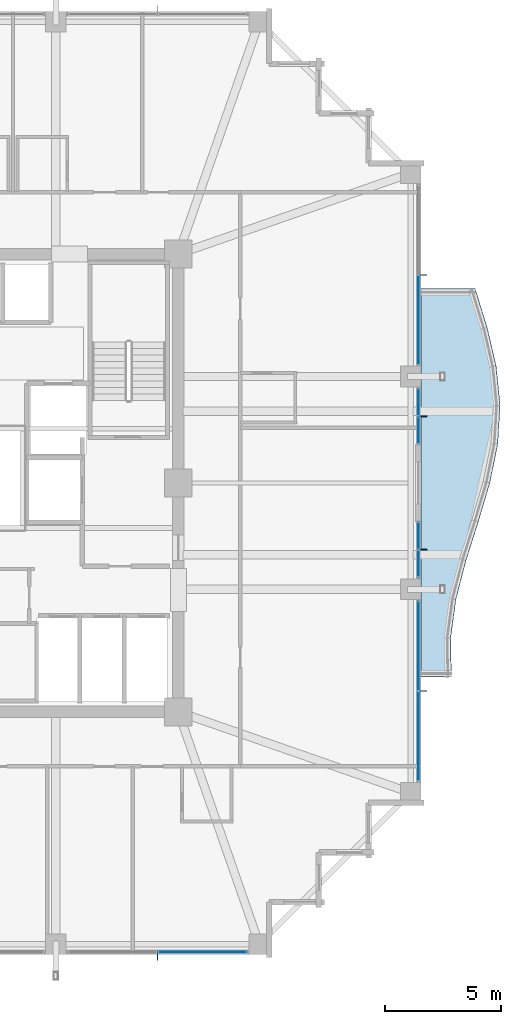
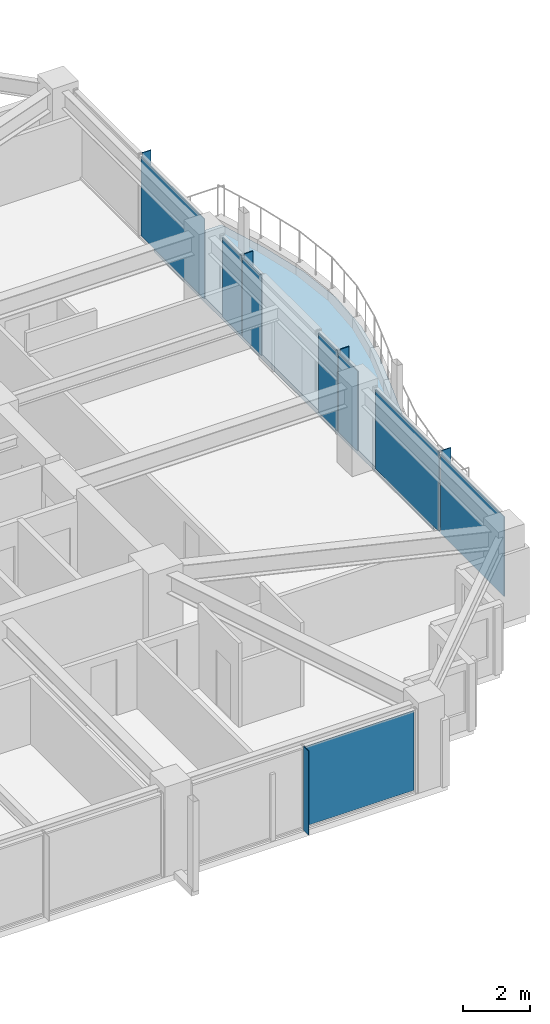
# One storey, part 26 of 35: 13 plates, 1 slab, 5 elements without a shape of their own.
"""IFC4 building model written with IfcOpenShell, lengths in metres."""

from ifc_helpers import new_model, si_unit, direction, frame, origin, origin_2d, place, context, subcontext, project, spatial, polyline, rectangle, outline, extrude, material, layer, layer_set, type_object, element, aggregate, save


model = new_model("IFC4")

# Units and contexts
model_context = context("Model", 3, precision=1e-05, world=origin(), true_north=direction((0.0, 1.0)))
body_context = subcontext(model_context, "Body", "Model", "MODEL_VIEW")
ifc_project = project(units=[si_unit("LENGTHUNIT", "METRE"), si_unit("AREAUNIT", "SQUARE_METRE"), si_unit("VOLUMEUNIT", "CUBIC_METRE"), si_unit("PLANEANGLEUNIT", "RADIAN"), si_unit("MASSUNIT", "GRAM", prefix="KILO")], contexts=[model_context])

# Site, building, storey
site_placement = place(None, origin())
site = spatial("IfcSite", under=ifc_project, at=site_placement, CompositionType="ELEMENT")
building_placement = place(site_placement, origin())
building = spatial("IfcBuilding", under=site, at=building_placement, Name="Kolvaren Belvedere", CompositionType="ELEMENT")
storey_placement = place(building_placement, frame((0.0, 0.0, 176.699951171875)))
storey = spatial("IfcBuildingStorey", under=building, at=storey_placement, Name="L51", CompositionType="ELEMENT", Elevation=176.699951171875)

# Curtain wall, plate
ifc_material_1 = material(Name="Anodised pale-metal aluminium AA 6063-T6", Category="aluminium")
curtain_wall_type = type_object("IfcCurtainWallType", Name="CW-Z5-HIGH", PredefinedType="NOTDEFINED", material=ifc_material_1)
curtain_wall_1_placement = place(storey_placement, origin())
curtain_wall_1 = element("IfcCurtainWall", 1, at=curtain_wall_1_placement, inside=storey, type_object=curtain_wall_type, Name="L51 Unitised Curtain Wall FCW-L51-S-B1", PredefinedType="NOTDEFINED")
ifc_material_2 = material(Name="Low-iron triple insulated glass", Category="glass")
ifc_layer_1 = layer(ifc_material_2, 0.028076171875)
ifc_layer_set_1 = layer_set([ifc_layer_1], Name="Low-iron triple insulated glass")
plate_type_1 = type_object("IfcPlateType", Name="CW-PNL-VIS28", PredefinedType="CURTAIN_PANEL", material=ifc_layer_set_1)
plate_1_placement = place(storey_placement, frame((10.947509765625, -20.280029296875, 0.080078125), z_axis=(0.0, 0.0, 1.0), x_axis=(-1.0, 0.0, 0.0)))
plate_1 = element("IfcPlate", 2, at=plate_1_placement, type_object=plate_type_1, Name="FCW-L51-S-B1 Vision Glazing Panel 1", PredefinedType="CURTAIN_PANEL", context=body_context, shape_type="SweptSolid", body=[
    extrude(rectangle(XDim=3.81494140625, YDim=0.028076171875, at=origin_2d()), origin(), (0.0, 0.0, 1.0), 2.919921875),
])
aggregate(curtain_wall_1, [plate_1])

curtain_wall_2_placement = place(storey_placement, origin())
curtain_wall_2 = element("IfcCurtainWall", 3, at=curtain_wall_2_placement, inside=storey, type_object=curtain_wall_type, Name="L51 Unitised Curtain Wall FCW-L51-E1-B1", PredefinedType="NOTDEFINED")
plate_2_placement = place(storey_placement, frame((20.280029296875, 7.052490234375, 0.080078125), z_axis=(0.0, 0.0, 1.0), x_axis=(0.0, -1.0, 0.0)))
plate_2 = element("IfcPlate", 4, at=plate_2_placement, type_object=plate_type_1, Name="FCW-L51-E1-B1 Vision Glazing Panel 2", PredefinedType="CURTAIN_PANEL", context=body_context, shape_type="SweptSolid", body=[
    extrude(rectangle(XDim=3.81494140625, YDim=0.028076171875, at=origin_2d()), origin(), (0.0, 0.0, 1.0), 2.919921875),
])
aggregate(curtain_wall_2, [plate_2])

# Curtain wall, plates
curtain_wall_3_placement = place(storey_placement, origin())
curtain_wall_3 = element("IfcCurtainWall", 5, at=curtain_wall_3_placement, inside=storey, type_object=curtain_wall_type, Name="L51 Unitised Curtain Wall FCW-L51-E1-B2", PredefinedType="NOTDEFINED")
plate_3_placement = place(storey_placement, frame((20.280029296875, 3.4912109375, 0.080078125), z_axis=(0.0, 0.0, 1.0), x_axis=(0.0, -1.0, 0.0)))
plate_3 = element("IfcPlate", 6, at=plate_3_placement, type_object=plate_type_1, Name="FCW-L51-E1-B2 Vision Glazing Panel 1", PredefinedType="CURTAIN_PANEL", context=body_context, shape_type="SweptSolid", body=[
    extrude(rectangle(XDim=1.12744140625, YDim=0.028076171875, at=origin_2d()), origin(), (0.0, 0.0, 1.0), 2.919921875),
])
plate_4_placement = place(storey_placement, frame((20.280029296875, 2.28369140625, 0.080078125), z_axis=(0.0, 0.0, 1.0), x_axis=(0.0, -1.0, 0.0)))
plate_4 = element("IfcPlate", 7, at=plate_4_placement, type_object=plate_type_1, Name="FCW-L51-E1-B2 Vision Glazing Panel 2", PredefinedType="CURTAIN_PANEL", context=body_context, shape_type="SweptSolid", body=[
    extrude(rectangle(XDim=1.12744140625, YDim=0.028076171875, at=origin_2d()), origin(), (0.0, 0.0, 1.0), 2.919921875),
])
aggregate(curtain_wall_3, [plate_3, plate_4])

curtain_wall_4_placement = place(storey_placement, origin())
curtain_wall_4 = element("IfcCurtainWall", 8, at=curtain_wall_4_placement, inside=storey, type_object=curtain_wall_type, Name="L51 Unitised Curtain Wall FCW-L51-E2-B1", PredefinedType="NOTDEFINED")
plate_5_placement = place(storey_placement, frame((20.280029296875, -2.28369140625, 0.080078125), z_axis=(0.0, 0.0, 1.0), x_axis=(0.0, -1.0, 0.0)))
plate_5 = element("IfcPlate", 9, at=plate_5_placement, type_object=plate_type_1, Name="FCW-L51-E2-B1 Vision Glazing Panel 1", PredefinedType="CURTAIN_PANEL", context=body_context, shape_type="SweptSolid", body=[
    extrude(rectangle(XDim=1.12744140625, YDim=0.028076171875, at=origin_2d()), origin(), (0.0, 0.0, 1.0), 2.919921875),
])
plate_6_placement = place(storey_placement, frame((20.280029296875, -3.4912109375, 0.080078125), z_axis=(0.0, 0.0, 1.0), x_axis=(0.0, -1.0, 0.0)))
plate_6 = element("IfcPlate", 10, at=plate_6_placement, type_object=plate_type_1, Name="FCW-L51-E2-B1 Vision Glazing Panel 2", PredefinedType="CURTAIN_PANEL", context=body_context, shape_type="SweptSolid", body=[
    extrude(rectangle(XDim=1.12744140625, YDim=0.028076171875, at=origin_2d()), origin(), (0.0, 0.0, 1.0), 2.919921875),
])
aggregate(curtain_wall_4, [plate_5, plate_6])

curtain_wall_5_placement = place(storey_placement, origin())
curtain_wall_5 = element("IfcCurtainWall", 11, at=curtain_wall_5_placement, inside=storey, type_object=curtain_wall_type, Name="L51 Unitised Curtain Wall FCW-L51-E2-B2", PredefinedType="NOTDEFINED")
plate_7_placement = place(storey_placement, frame((20.280029296875, -7.052490234375, 0.080078125), z_axis=(0.0, 0.0, 1.0), x_axis=(0.0, -1.0, 0.0)))
plate_7 = element("IfcPlate", 12, at=plate_7_placement, type_object=plate_type_1, Name="FCW-L51-E2-B2 Vision Glazing Panel 1", PredefinedType="CURTAIN_PANEL", context=body_context, shape_type="SweptSolid", body=[
    extrude(rectangle(XDim=3.81494140625, YDim=0.028076171875, at=origin_2d()), origin(), (0.0, 0.0, 1.0), 2.919921875),
])
plate_8_placement = place(storey_placement, frame((20.280029296875, -10.947509765625, 0.080078125), z_axis=(0.0, 0.0, 1.0), x_axis=(0.0, -1.0, 0.0)))
plate_8 = element("IfcPlate", 13, at=plate_8_placement, type_object=plate_type_1, Name="FCW-L51-E2-B2 Vision Glazing Panel 2", PredefinedType="CURTAIN_PANEL", context=body_context, shape_type="SweptSolid", body=[
    extrude(rectangle(XDim=3.81494140625, YDim=0.028076171875, at=origin_2d()), origin(), (0.0, 0.0, 1.0), 2.919921875),
])
aggregate(curtain_wall_5, [plate_7, plate_8])

# Plates
ifc_material_3 = material(Name="Anodised pale-metal aluminium AA 6063-T6", Category="aluminium")
ifc_layer_2 = layer(ifc_material_3, 0.030029296875)
ifc_layer_set_2 = layer_set([ifc_layer_2], Name="Anodised pale-metal aluminium AA 6063-T6")
plate_type_2 = type_object("IfcPlateType", Name="FIN-VERT-300", PredefinedType="USERDEFINED", material=ifc_layer_set_2)
for number, where, z_axis, x_axis, name in (
    (14, (9.0, -20.489990234375, 0.0), (0.0, 0.0, 1.0), (0.0, 1.0, 0.0), "L51 Pale-Metal Vertical Shading Fin FCW-L51-S-B1-1"),
    (15, (20.489990234375, 9.0, 0.0), (0.0, 0.0, 1.0), (1.0, 0.0, 0.0), "L51 Pale-Metal Vertical Shading Fin FCW-L51-E1-B1-1"),
    (16, (20.489990234375, 2.887451171875, 0.0), (0.0, 0.0, 1.0), (1.0, 0.0, 0.0), "L51 Pale-Metal Vertical Shading Fin FCW-L51-E1-B2-1"),
    (17, (20.489990234375, -2.887451171875, 0.0), (0.0, 0.0, 1.0), (1.0, 0.0, 0.0), "L51 Pale-Metal Vertical Shading Fin FCW-L51-E2-B1-1"),
    (18, (20.489990234375, -9.0, 0.0), (0.0, 0.0, 1.0), (1.0, 0.0, 0.0), "L51 Pale-Metal Vertical Shading Fin FCW-L51-E2-B2-1"),
):
    element("IfcPlate", number, at=place(storey_placement, frame(where, z_axis=z_axis, x_axis=x_axis)), inside=storey, type_object=plate_type_2, Name=name, ObjectType="VERTICAL FIN", PredefinedType="USERDEFINED", context=body_context, shape_type="SweptSolid", body=[
        extrude(rectangle(XDim=0.300048828125, YDim=0.030029296875, at=origin_2d()), origin(), (0.0, 0.0, 1.0), 3.080078125),
    ])

# Slab
ifc_material_4 = material(Name="Concrete C50/60", Category="concrete")
ifc_layer_3 = layer(ifc_material_4, 0.179931640625)
ifc_layer_set_3 = layer_set([ifc_layer_3], Name="Concrete C50/60")
slab_type = type_object("IfcSlabType", Name="SL-BAL-180", PredefinedType="FLOOR", material=ifc_layer_set_3)
slab_placement = place(storey_placement, frame((0.0, 0.0, -0.219970703125)))
element("IfcSlab", 19, at=slab_placement, inside=storey, type_object=slab_type, Name="L51 Planted Balcony BAL-E", PredefinedType="FLOOR", context=body_context, shape_type="SweptSolid", body=[
    extrude(outline(polyline([(21.712890625, -8.39990234375), (21.67919921875, -6.719970703125), (21.90771484375, -5.0400390625), (22.34228515625, -3.360107421875), (22.87548828125, -1.679931640625), (23.374755859375, 0.0), (23.71728515625, 1.679931640625), (23.820068359375, 3.360107421875), (23.65185546875, 5.0400390625), (23.26025390625, 6.719970703125), (22.739990234375, 8.39990234375), (20.39990234375, 8.39990234375), (20.39990234375, 6.719970703125), (20.39990234375, 5.0400390625), (20.39990234375, 3.360107421875), (20.39990234375, 1.679931640625), (20.39990234375, 0.0), (20.39990234375, -1.679931640625), (20.39990234375, -3.360107421875), (20.39990234375, -5.0400390625), (20.39990234375, -6.719970703125), (20.39990234375, -8.39990234375), (21.712890625, -8.39990234375)])), origin(), (0.0, 0.0, 1.0), 0.179931640625),
])

save(model, "model.ifc")
